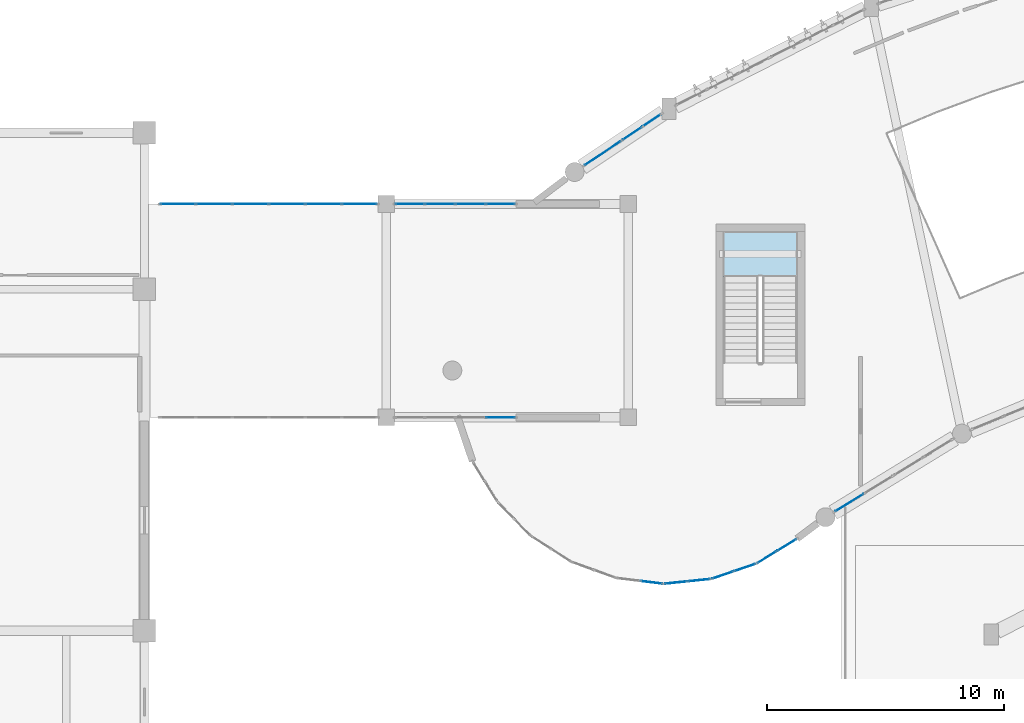
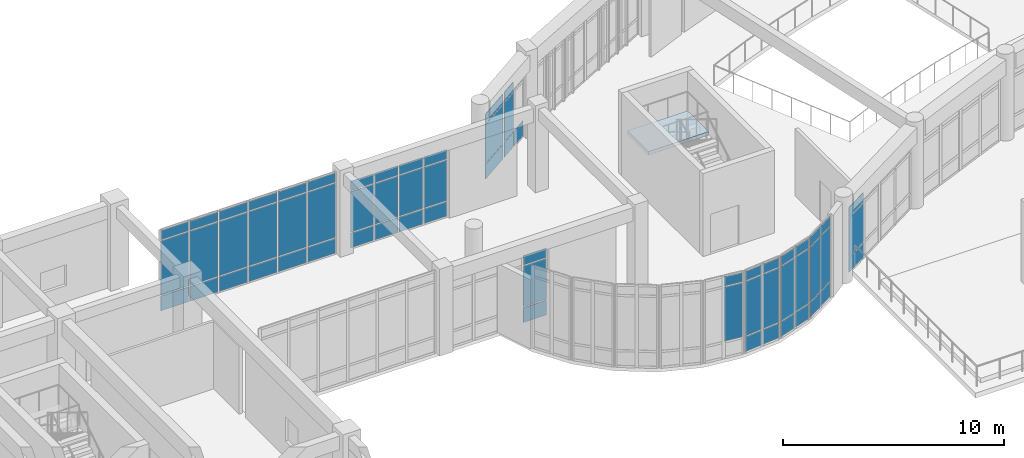
# One storey, part 38 of 65: 63 plates, 1 slab, 11 elements without a shape of their own.
"""IFC4 building model written with IfcOpenShell, lengths in metres."""

import ifcopenshell
import ifcopenshell.guid

model = None  # the IFC model being written
_history = None  # IfcOwnerHistory: only IFC2X3 demands one
_inside = {}  # id of a spatial element -> (the spatial element, [elements in it])
_under = {}  # id of a project, library or spatial element -> (it, [spatial elements below it])
_declared = {}  # id of a project -> (the project, [libraries it declares])
_typed = {}  # id of a type object -> (the type object, [elements of that type])
_made_of = {}  # id of a material, layer set ... -> (it, [elements and type objects made of it])


def new_model(schema):
    """Start an empty IFC model of exactly this schema.

    Asked for "IFC4X3", IfcOpenShell would pick the latest addendum, in which some entities
    have other attributes; the version numbers below select the first issue.
    IFC2X3 requires an IfcOwnerHistory on every rooted entity: one is made here for all.
    """
    global model, _history
    if schema == "IFC4X3":
        model = ifcopenshell.file(schema_version=(4, 3, 0, 0))
    else:
        model = ifcopenshell.file(schema=schema)
    _inside.clear()
    _under.clear()
    _declared.clear()
    _typed.clear()
    _made_of.clear()
    _history = None
    if model.schema == "IFC2X3":
        org = make("IfcOrganization", Name="unknown")
        user = make(
            "IfcPersonAndOrganization",
            ThePerson=make("IfcPerson", FamilyName="unknown"),
            TheOrganization=org,
        )
        app = make(
            "IfcApplication",
            ApplicationDeveloper=org,
            Version="unknown",
            ApplicationFullName="unknown",
            ApplicationIdentifier="unknown",
        )
        _history = make(
            "IfcOwnerHistory",
            OwningUser=user,
            OwningApplication=app,
            ChangeAction="ADDED",
            CreationDate=0,
        )
    return model


def make(cls, **values):
    """One entity of the class cls with the attributes given. An attribute that is None is left unset."""
    return model.create_entity(
        cls, **{name: value for name, value in values.items() if value is not None}
    )


def rooted(cls, **values):
    """An entity with a GlobalId (a new one), such as an element, a storey or a relation."""
    return make(cls, GlobalId=ifcopenshell.guid.new(), OwnerHistory=_history, **values)


def si_unit(unit_type, name, prefix=None):
    """IfcSIUnit, for example si_unit("LENGTHUNIT", "METRE", prefix="MILLI")."""
    return make("IfcSIUnit", UnitType=unit_type, Prefix=prefix, Name=name)


def assignment(units):
    """IfcUnitAssignment: the units of a project."""
    return None if units is None else make("IfcUnitAssignment", Units=units)


def point(xyz):
    """IfcCartesianPoint."""
    return None if xyz is None else make("IfcCartesianPoint", Coordinates=xyz)


def direction(xyz):
    """IfcDirection."""
    return None if xyz is None else make("IfcDirection", DirectionRatios=xyz)


def frame(location, z_axis=None, x_axis=None):
    """IfcAxis2Placement3D, a coordinate frame: its origin and axes. An axis left out is left unset."""
    return make(
        "IfcAxis2Placement3D",
        Location=point(location),
        Axis=direction(z_axis),
        RefDirection=direction(x_axis),
    )


def frame_2d(location, x_axis=None):
    """IfcAxis2Placement2D, a coordinate frame in the plane: its origin and x axis."""
    return make(
        "IfcAxis2Placement2D", Location=point(location), RefDirection=direction(x_axis)
    )


def origin():
    """The frame at (0, 0, 0) with its axes left unset."""
    return frame((0.0, 0.0, 0.0))


def origin_2d():
    """The frame at (0, 0) in the plane with its x axis left unset."""
    return frame_2d((0.0, 0.0))


def place(relative_to, where):
    """IfcLocalPlacement: puts the frame where relative to a parent placement (None: the world)."""
    return make(
        "IfcLocalPlacement", PlacementRelTo=relative_to, RelativePlacement=where
    )


def context(
    kind, dimensions, precision=None, world=None, true_north=None, identifier=None
):
    """IfcGeometricRepresentationContext, for example the 3D "Model" context."""
    return make(
        "IfcGeometricRepresentationContext",
        ContextIdentifier=identifier,
        ContextType=kind,
        CoordinateSpaceDimension=dimensions,
        Precision=precision,
        WorldCoordinateSystem=world,
        TrueNorth=true_north,
    )


def subcontext(parent, identifier, kind, view, scale=None):
    """IfcGeometricRepresentationSubContext, for example "Body" below "Model"."""
    return make(
        "IfcGeometricRepresentationSubContext",
        ContextIdentifier=identifier,
        ContextType=kind,
        ParentContext=parent,
        TargetScale=scale,
        TargetView=view,
    )


def project(units=None, contexts=None):
    """IfcProject with its units and contexts."""
    return rooted(
        "IfcProject",
        Name="project",
        RepresentationContexts=contexts,
        UnitsInContext=assignment(units),
    )


def spatial(cls, under=None, at=None, **own):
    """A site, building, storey or space (cls), placed at a placement, below another one or the project."""
    s = rooted(cls, ObjectPlacement=at, **own)
    if under is not None:
        _under.setdefault(under.id(), (under, []))[1].append(s)
    return s


def polyline(points):
    """IfcPolyline through the points."""
    return make("IfcPolyline", Points=[point(p) for p in points])


def profile(cls, at=None, kind="AREA", **sizes):
    """A parametric profile (cls). Its sizes go by their IFC names, for example OverallWidth=200.0."""
    return make(cls, ProfileType=kind, Position=at, **sizes)


def rectangle(**sizes):
    """IfcRectangleProfileDef."""
    return profile("IfcRectangleProfileDef", **sizes)


def outline(outer, holes=None, kind="AREA"):
    """IfcArbitraryClosedProfileDef: a profile drawn as a closed curve; with holes, ...WithVoids."""
    if holes is None:
        return make("IfcArbitraryClosedProfileDef", ProfileType=kind, OuterCurve=outer)
    return make(
        "IfcArbitraryProfileDefWithVoids",
        ProfileType=kind,
        OuterCurve=outer,
        InnerCurves=holes,
    )


def extrude(swept, where, along, depth):
    """IfcExtrudedAreaSolid: the profile swept, set in the frame where, extruded along a direction by depth."""
    return make(
        "IfcExtrudedAreaSolid",
        SweptArea=swept,
        Position=where,
        ExtrudedDirection=direction(along),
        Depth=depth,
    )


def shape(context_of_items, identifier, shape_type, items):
    """IfcShapeRepresentation: the items that make up one representation, for example the "Body"."""
    return make(
        "IfcShapeRepresentation",
        ContextOfItems=context_of_items,
        RepresentationIdentifier=identifier,
        RepresentationType=shape_type,
        Items=items,
    )


def material(Name=None, Category=None):
    """IfcMaterial."""
    return make("IfcMaterial", Name=Name, Category=Category)


def layer(
    of_material, thickness, ventilated=None, Name=None, Category=None, Priority=None
):
    """IfcMaterialLayer: one layer of a wall or slab, of a material (None: an air gap)."""
    return make(
        "IfcMaterialLayer",
        Material=of_material,
        LayerThickness=thickness,
        IsVentilated=ventilated,
        Name=Name,
        Category=Category,
        Priority=Priority,
    )


def layer_set(layers, Name=None):
    """IfcMaterialLayerSet."""
    return make("IfcMaterialLayerSet", MaterialLayers=layers, LayerSetName=Name)


def made_of(thing, what):
    """Note that an element or type object is made of a material, layer set ...; save() writes the relation."""
    if what is not None:
        _made_of.setdefault(what.id(), (what, []))[1].append(thing)
    return thing


def type_object(cls, material=None, **own):
    """A type object (cls), such as IfcWallType, which elements share."""
    return made_of(rooted(cls, **own), material)


def element(
    cls,
    number,
    at=None,
    inside=None,
    cuts=None,
    type_object=None,
    material=None,
    context=None,
    identifier="Body",
    shape_type=None,
    held_by="IfcProductDefinitionShape",
    body=None,
    shapes=None,
    **own,
):
    """One element of the class cls, such as IfcWall. Its Tag is "e" and its number.

    at: its placement. inside: the storey or other place that contains it. cuts: it is an
    opening in that element (IfcRelVoidsElement). A single representation is given by context,
    identifier, shape_type and body (its items); several are given by shapes. held_by: the class
    of the entity that holds the representations. save() writes the other relations.
    """
    e = rooted(cls, Tag="e%d" % number, ObjectPlacement=at, **own)
    if body is not None:
        shapes = [shape(context, identifier, shape_type, body)]
    if shapes is not None:
        e.Representation = make(held_by, Representations=shapes)
    if inside is not None:
        _inside.setdefault(inside.id(), (inside, []))[1].append(e)
    if cuts is not None:
        rooted(
            "IfcRelVoidsElement", RelatingBuildingElement=cuts, RelatedOpeningElement=e
        )
    if type_object is not None:
        _typed.setdefault(type_object.id(), (type_object, []))[1].append(e)
    return made_of(e, material)


def aggregate(whole, parts):
    """IfcRelAggregates: a whole, such as a stair, and the parts it consists of."""
    return rooted("IfcRelAggregates", RelatingObject=whole, RelatedObjects=parts)


def save(model, path):
    """Write the relations noted so far, then the file.

    IfcRelAggregates (storeys below a building ...), IfcRelContainedInSpatialStructure (elements
    in a storey), IfcRelDefinesByType, IfcRelAssociatesMaterial and IfcRelDeclares: one each for
    every whole, place, type object, material and project.
    """
    for whole, parts in _under.values():
        aggregate(whole, parts)
    for where, things in _inside.values():
        rooted(
            "IfcRelContainedInSpatialStructure",
            RelatedElements=things,
            RelatingStructure=where,
        )
    for kind, things in _typed.values():
        rooted("IfcRelDefinesByType", RelatedObjects=things, RelatingType=kind)
    for what, things in _made_of.values():
        rooted("IfcRelAssociatesMaterial", RelatedObjects=things, RelatingMaterial=what)
    for by, libraries in _declared.values():
        rooted("IfcRelDeclares", RelatingContext=by, RelatedDefinitions=libraries)
    model.write(path)


model = new_model("IFC4")

# Units and contexts
model_context = context("Model", 3, precision=1e-05, world=origin(), true_north=direction((0.0, 1.0)))
body_context = subcontext(model_context, "Body", "Model", "MODEL_VIEW")
ifc_project = project(units=[si_unit("LENGTHUNIT", "METRE"), si_unit("AREAUNIT", "SQUARE_METRE"), si_unit("VOLUMEUNIT", "CUBIC_METRE"), si_unit("PLANEANGLEUNIT", "RADIAN"), si_unit("MASSUNIT", "GRAM", prefix="KILO")], contexts=[model_context])

# Site, building, storey
site_placement = place(None, origin())
site = spatial("IfcSite", under=ifc_project, at=site_placement, CompositionType="ELEMENT")
building_placement = place(site_placement, origin())
building = spatial("IfcBuilding", under=site, at=building_placement, Name="Miralva Faculty of Natural Sciences", CompositionType="ELEMENT")
storey_placement = place(building_placement, frame((0.0, 0.0, 10.199951171875)))
storey = spatial("IfcBuildingStorey", under=building, at=storey_placement, Name="L02", CompositionType="ELEMENT", Elevation=10.199951171875)

# Curtain wall, plates
ifc_material_1 = material(Name="Laminated solar-control glass", Category="glass")
ifc_layer_1 = layer(ifc_material_1, 0.179931640625, Name="CW-ARC-L01")
ifc_layer_set_1 = layer_set([ifc_layer_1], Name="Laminated solar-control glass")
curtain_wall_type_1 = type_object("IfcCurtainWallType", Name="CW-ARC-L01", PredefinedType="USERDEFINED", material=ifc_layer_set_1)
curtain_wall_1_placement = place(storey_placement, origin())
curtain_wall_1 = element("IfcCurtainWall", 1, at=curtain_wall_1_placement, inside=storey, type_object=curtain_wall_type_1, Name="Curtain wall CW-02 L02-63", ObjectType="UNITISED CURTAIN WALL", PredefinedType="USERDEFINED")
ifc_layer_2 = layer(ifc_material_1, 0.028076171875, Name="PNL-P01")
ifc_layer_set_2 = layer_set([ifc_layer_2], Name="Laminated solar-control glass")
plate_type = type_object("IfcPlateType", Name="PNL-P01", PredefinedType="CURTAIN_PANEL", material=ifc_layer_set_2)
plate_1_placement = place(storey_placement, frame((65.72998046875, 14.403564453125, 0.06494140625), z_axis=(0.0, 0.0, 1.0), x_axis=(0.852640729642, 0.522497642249, 0.0)))
plate_1 = element("IfcPlate", 2, at=plate_1_placement, type_object=plate_type, Name="CW-02 panel 1.1", PredefinedType="CURTAIN_PANEL", context=body_context, shape_type="SweptSolid", body=[
    extrude(rectangle(XDim=1.376953125, YDim=0.028076171875, at=origin_2d()), origin(), (0.0, 0.0, 1.0), 0.802490234375),
])
plate_2_placement = place(storey_placement, frame((65.72998046875, 14.403564453125, 0.9326171875), z_axis=(0.0, 0.0, 1.0), x_axis=(0.852640729642, 0.522497642249, 0.0)))
plate_2 = element("IfcPlate", 3, at=plate_2_placement, type_object=plate_type, Name="CW-02 panel 1.2", PredefinedType="CURTAIN_PANEL", context=body_context, shape_type="SweptSolid", body=[
    extrude(rectangle(XDim=1.376953125, YDim=0.028076171875, at=origin_2d()), origin(), (0.0, 0.0, 1.0), 2.139892578125),
])
plate_3_placement = place(storey_placement, frame((65.72998046875, 14.403564453125, 3.1376953125), z_axis=(0.0, 0.0, 1.0), x_axis=(0.852640729642, 0.522497642249, 0.0)))
plate_3 = element("IfcPlate", 4, at=plate_3_placement, type_object=plate_type, Name="CW-02 panel 1.3", PredefinedType="CURTAIN_PANEL", context=body_context, shape_type="SweptSolid", body=[
    extrude(rectangle(XDim=1.376953125, YDim=0.028076171875, at=origin_2d()), origin(), (0.0, 0.0, 1.0), 0.50244140625),
])
aggregate(curtain_wall_1, [plate_1, plate_2, plate_3])

curtain_wall_2_placement = place(storey_placement, origin())
curtain_wall_2 = element("IfcCurtainWall", 5, at=curtain_wall_2_placement, inside=storey, type_object=curtain_wall_type_1, Name="Curtain wall CW-02 L02-77", ObjectType="UNITISED CURTAIN WALL", PredefinedType="USERDEFINED")
plate_4_placement = place(storey_placement, frame((55.333984375, 29.14453125, 0.06005859375), z_axis=(0.0, 0.0, 1.0), x_axis=(0.831483840844, 0.555548937913, 0.0)))
plate_4 = element("IfcPlate", 6, at=plate_4_placement, type_object=plate_type, Name="CW-02 panel 1.1", PredefinedType="CURTAIN_PANEL", context=body_context, shape_type="SweptSolid", body=[
    extrude(rectangle(XDim=1.7998046875, YDim=0.028076171875, at=origin_2d()), origin(), (0.0, 0.0, 1.0), 0.81005859375),
])
plate_5_placement = place(storey_placement, frame((55.333984375, 29.14453125, 0.929931640625), z_axis=(0.0, 0.0, 1.0), x_axis=(0.831483840844, 0.555548937913, 0.0)))
plate_5 = element("IfcPlate", 7, at=plate_5_placement, type_object=plate_type, Name="CW-02 panel 1.2", PredefinedType="CURTAIN_PANEL", context=body_context, shape_type="SweptSolid", body=[
    extrude(rectangle(XDim=1.7998046875, YDim=0.028076171875, at=origin_2d()), origin(), (0.0, 0.0, 1.0), 2.14501953125),
])
plate_6_placement = place(storey_placement, frame((55.333984375, 29.14453125, 3.13525390625), z_axis=(0.0, 0.0, 1.0), x_axis=(0.831483840844, 0.555548937913, 0.0)))
plate_6 = element("IfcPlate", 8, at=plate_6_placement, type_object=plate_type, Name="CW-02 panel 1.3", PredefinedType="CURTAIN_PANEL", context=body_context, shape_type="SweptSolid", body=[
    extrude(rectangle(XDim=1.7998046875, YDim=0.028076171875, at=origin_2d()), origin(), (0.0, 0.0, 1.0), 0.510009765625),
])
aggregate(curtain_wall_2, [plate_4, plate_5, plate_6])

curtain_wall_3_placement = place(storey_placement, origin())
curtain_wall_3 = element("IfcCurtainWall", 9, at=curtain_wall_3_placement, inside=storey, type_object=curtain_wall_type_1, Name="Curtain wall CW-02 L02-78", ObjectType="UNITISED CURTAIN WALL", PredefinedType="USERDEFINED")
plate_7_placement = place(storey_placement, frame((56.57275390625, 29.97216796875, 0.06005859375), z_axis=(0.0, 0.0, 1.0), x_axis=(0.831458377074, 0.55558704736, 0.0)))
plate_7 = element("IfcPlate", 10, at=plate_7_placement, type_object=plate_type, Name="CW-02 panel 1.1", PredefinedType="CURTAIN_PANEL", context=body_context, shape_type="SweptSolid", body=[
    extrude(rectangle(XDim=0.929931640625, YDim=0.028076171875, at=origin_2d()), origin(), (0.0, 0.0, 1.0), 0.81005859375),
])
plate_8_placement = place(storey_placement, frame((56.57275390625, 29.97216796875, 0.929931640625), z_axis=(0.0, 0.0, 1.0), x_axis=(0.831458377074, 0.55558704736, 0.0)))
plate_8 = element("IfcPlate", 11, at=plate_8_placement, type_object=plate_type, Name="CW-02 panel 1.2", PredefinedType="CURTAIN_PANEL", context=body_context, shape_type="SweptSolid", body=[
    extrude(rectangle(XDim=0.929931640625, YDim=0.028076171875, at=origin_2d()), origin(), (0.0, 0.0, 1.0), 2.14501953125),
])
plate_9_placement = place(storey_placement, frame((56.57275390625, 29.97216796875, 3.13525390625), z_axis=(0.0, 0.0, 1.0), x_axis=(0.831458377074, 0.55558704736, 0.0)))
plate_9 = element("IfcPlate", 12, at=plate_9_placement, type_object=plate_type, Name="CW-02 panel 1.3", PredefinedType="CURTAIN_PANEL", context=body_context, shape_type="SweptSolid", body=[
    extrude(rectangle(XDim=0.929931640625, YDim=0.028076171875, at=origin_2d()), origin(), (0.0, 0.0, 1.0), 0.510009765625),
])
plate_10_placement = place(storey_placement, frame((57.400146484375, 30.52490234375, 0.06005859375), z_axis=(0.0, 0.0, 1.0), x_axis=(0.831458377074, 0.55558704736, 0.0)))
plate_10 = element("IfcPlate", 13, at=plate_10_placement, type_object=plate_type, Name="CW-02 panel 2.1", PredefinedType="CURTAIN_PANEL", context=body_context, shape_type="SweptSolid", body=[
    extrude(rectangle(XDim=0.929931640625, YDim=0.028076171875, at=origin_2d()), origin(), (0.0, 0.0, 1.0), 0.81005859375),
])
aggregate(curtain_wall_3, [plate_7, plate_8, plate_9, plate_10])

ifc_layer_3 = layer(ifc_material_1, 0.179931640625, Name="CW-RND-L01")
ifc_layer_set_3 = layer_set([ifc_layer_3], Name="Laminated solar-control glass")
curtain_wall_type_2 = type_object("IfcCurtainWallType", Name="CW-RND-L01", PredefinedType="USERDEFINED", material=ifc_layer_set_3)
curtain_wall_4_placement = place(storey_placement, origin())
curtain_wall_4 = element("IfcCurtainWall", 14, at=curtain_wall_4_placement, inside=storey, type_object=curtain_wall_type_2, Name="Curtain wall CW-05 L02-93", ObjectType="UNITISED CURTAIN WALL", PredefinedType="USERDEFINED")
plate_11_placement = place(storey_placement, frame((62.253662109375, 12.102294921875, 0.06005859375), z_axis=(0.0, 0.0, 1.0), x_axis=(0.851994617353, 0.523550543884, 0.0)))
plate_11 = element("IfcPlate", 15, at=plate_11_placement, type_object=plate_type, Name="CW-05 panel 1.1", PredefinedType="CURTAIN_PANEL", context=body_context, shape_type="SweptSolid", body=[
    extrude(rectangle(XDim=0.91259765625, YDim=0.028076171875, at=origin_2d()), origin(), (0.0, 0.0, 1.0), 0.81005859375),
])
plate_12_placement = place(storey_placement, frame((62.253662109375, 12.102294921875, 0.93017578125), z_axis=(0.0, 0.0, 1.0), x_axis=(0.851994617353, 0.523550543884, 0.0)))
plate_12 = element("IfcPlate", 16, at=plate_12_placement, type_object=plate_type, Name="CW-05 panel 1.2", PredefinedType="CURTAIN_PANEL", context=body_context, shape_type="SweptSolid", body=[
    extrude(rectangle(XDim=0.91259765625, YDim=0.028076171875, at=origin_2d()), origin(), (0.0, 0.0, 1.0), 2.989990234375),
])
plate_13_placement = place(storey_placement, frame((62.253662109375, 12.102294921875, 3.97998046875), z_axis=(0.0, 0.0, 1.0), x_axis=(0.851994617353, 0.523550543884, 0.0)))
plate_13 = element("IfcPlate", 17, at=plate_13_placement, type_object=plate_type, Name="CW-05 panel 1.3", PredefinedType="CURTAIN_PANEL", context=body_context, shape_type="SweptSolid", body=[
    extrude(rectangle(XDim=0.91259765625, YDim=0.028076171875, at=origin_2d()), origin(), (0.0, 0.0, 1.0), 0.510009765625),
])
plate_14_placement = place(storey_placement, frame((63.086669921875, 12.6142578125, 0.06005859375), z_axis=(0.0, 0.0, 1.0), x_axis=(0.851994617353, 0.523550543884, 0.0)))
plate_14 = element("IfcPlate", 18, at=plate_14_placement, type_object=plate_type, Name="CW-05 panel 2.1", PredefinedType="CURTAIN_PANEL", context=body_context, shape_type="SweptSolid", body=[
    extrude(rectangle(XDim=0.91259765625, YDim=0.028076171875, at=origin_2d()), origin(), (0.0, 0.0, 1.0), 0.81005859375),
])
plate_15_placement = place(storey_placement, frame((63.086669921875, 12.6142578125, 0.93017578125), z_axis=(0.0, 0.0, 1.0), x_axis=(0.851994617353, 0.523550543884, 0.0)))
plate_15 = element("IfcPlate", 19, at=plate_15_placement, type_object=plate_type, Name="CW-05 panel 2.2", PredefinedType="CURTAIN_PANEL", context=body_context, shape_type="SweptSolid", body=[
    extrude(rectangle(XDim=0.91259765625, YDim=0.028076171875, at=origin_2d()), origin(), (0.0, 0.0, 1.0), 2.989990234375),
])
plate_16_placement = place(storey_placement, frame((63.086669921875, 12.6142578125, 3.97998046875), z_axis=(0.0, 0.0, 1.0), x_axis=(0.851994617353, 0.523550543884, 0.0)))
plate_16 = element("IfcPlate", 20, at=plate_16_placement, type_object=plate_type, Name="CW-05 panel 2.3", PredefinedType="CURTAIN_PANEL", context=body_context, shape_type="SweptSolid", body=[
    extrude(rectangle(XDim=0.91259765625, YDim=0.028076171875, at=origin_2d()), origin(), (0.0, 0.0, 1.0), 0.510009765625),
])
aggregate(curtain_wall_4, [plate_11, plate_12, plate_13, plate_14, plate_15, plate_16])

curtain_wall_5_placement = place(storey_placement, origin())
curtain_wall_5 = element("IfcCurtainWall", 21, at=curtain_wall_5_placement, inside=storey, type_object=curtain_wall_type_2, Name="Curtain wall CW-05 L02-94", ObjectType="UNITISED CURTAIN WALL", PredefinedType="USERDEFINED")
plate_17_placement = place(storey_placement, frame((60.39453125, 11.349853515625, 0.06005859375), z_axis=(0.0, 0.0, 1.0), x_axis=(0.947132688672, 0.320842126361, 0.0)))
plate_17 = element("IfcPlate", 22, at=plate_17_placement, type_object=plate_type, Name="CW-05 panel 1.1", PredefinedType="CURTAIN_PANEL", context=body_context, shape_type="SweptSolid", body=[
    extrude(rectangle(XDim=0.91259765625, YDim=0.028076171875, at=origin_2d()), origin(), (0.0, 0.0, 1.0), 0.81005859375),
])
plate_18_placement = place(storey_placement, frame((60.39453125, 11.349853515625, 0.93017578125), z_axis=(0.0, 0.0, 1.0), x_axis=(0.947132688672, 0.320842126361, 0.0)))
plate_18 = element("IfcPlate", 23, at=plate_18_placement, type_object=plate_type, Name="CW-05 panel 1.2", PredefinedType="CURTAIN_PANEL", context=body_context, shape_type="SweptSolid", body=[
    extrude(rectangle(XDim=0.91259765625, YDim=0.028076171875, at=origin_2d()), origin(), (0.0, 0.0, 1.0), 2.989990234375),
])
plate_19_placement = place(storey_placement, frame((60.39453125, 11.349853515625, 3.97998046875), z_axis=(0.0, 0.0, 1.0), x_axis=(0.947132688672, 0.320842126361, 0.0)))
plate_19 = element("IfcPlate", 24, at=plate_19_placement, type_object=plate_type, Name="CW-05 panel 1.3", PredefinedType="CURTAIN_PANEL", context=body_context, shape_type="SweptSolid", body=[
    extrude(rectangle(XDim=0.91259765625, YDim=0.028076171875, at=origin_2d()), origin(), (0.0, 0.0, 1.0), 0.510009765625),
])
plate_20_placement = place(storey_placement, frame((61.3203125, 11.66357421875, 0.06005859375), z_axis=(0.0, 0.0, 1.0), x_axis=(0.947132688672, 0.320842126361, 0.0)))
plate_20 = element("IfcPlate", 25, at=plate_20_placement, type_object=plate_type, Name="CW-05 panel 2.1", PredefinedType="CURTAIN_PANEL", context=body_context, shape_type="SweptSolid", body=[
    extrude(rectangle(XDim=0.91259765625, YDim=0.028076171875, at=origin_2d()), origin(), (0.0, 0.0, 1.0), 0.81005859375),
])
plate_21_placement = place(storey_placement, frame((61.3203125, 11.66357421875, 0.93017578125), z_axis=(0.0, 0.0, 1.0), x_axis=(0.947132688672, 0.320842126361, 0.0)))
plate_21 = element("IfcPlate", 26, at=plate_21_placement, type_object=plate_type, Name="CW-05 panel 2.2", PredefinedType="CURTAIN_PANEL", context=body_context, shape_type="SweptSolid", body=[
    extrude(rectangle(XDim=0.91259765625, YDim=0.028076171875, at=origin_2d()), origin(), (0.0, 0.0, 1.0), 2.989990234375),
])
plate_22_placement = place(storey_placement, frame((61.3203125, 11.66357421875, 3.97998046875), z_axis=(0.0, 0.0, 1.0), x_axis=(0.947132688672, 0.320842126361, 0.0)))
plate_22 = element("IfcPlate", 27, at=plate_22_placement, type_object=plate_type, Name="CW-05 panel 2.3", PredefinedType="CURTAIN_PANEL", context=body_context, shape_type="SweptSolid", body=[
    extrude(rectangle(XDim=0.91259765625, YDim=0.028076171875, at=origin_2d()), origin(), (0.0, 0.0, 1.0), 0.510009765625),
])
aggregate(curtain_wall_5, [plate_17, plate_18, plate_19, plate_20, plate_21, plate_22])

curtain_wall_6_placement = place(storey_placement, origin())
curtain_wall_6 = element("IfcCurtainWall", 28, at=curtain_wall_6_placement, inside=storey, type_object=curtain_wall_type_2, Name="Curtain wall CW-05 L02-95", ObjectType="UNITISED CURTAIN WALL", PredefinedType="USERDEFINED")
plate_23_placement = place(storey_placement, frame((58.41455078125, 11.0302734375, 0.06005859375), z_axis=(0.0, 0.0, 1.0), x_axis=(0.994778604482, 0.102056494477, 0.0)))
plate_23 = element("IfcPlate", 29, at=plate_23_placement, type_object=plate_type, Name="CW-05 panel 1.1", PredefinedType="CURTAIN_PANEL", context=body_context, shape_type="SweptSolid", body=[
    extrude(rectangle(XDim=0.912841796875, YDim=0.028076171875, at=origin_2d()), origin(), (0.0, 0.0, 1.0), 0.81005859375),
])
plate_24_placement = place(storey_placement, frame((58.41455078125, 11.0302734375, 0.93017578125), z_axis=(0.0, 0.0, 1.0), x_axis=(0.994778604482, 0.102056494477, 0.0)))
plate_24 = element("IfcPlate", 30, at=plate_24_placement, type_object=plate_type, Name="CW-05 panel 1.2", PredefinedType="CURTAIN_PANEL", context=body_context, shape_type="SweptSolid", body=[
    extrude(rectangle(XDim=0.912841796875, YDim=0.028076171875, at=origin_2d()), origin(), (0.0, 0.0, 1.0), 2.989990234375),
])
plate_25_placement = place(storey_placement, frame((58.41455078125, 11.0302734375, 3.97998046875), z_axis=(0.0, 0.0, 1.0), x_axis=(0.994778604482, 0.102056494477, 0.0)))
plate_25 = element("IfcPlate", 31, at=plate_25_placement, type_object=plate_type, Name="CW-05 panel 1.3", PredefinedType="CURTAIN_PANEL", context=body_context, shape_type="SweptSolid", body=[
    extrude(rectangle(XDim=0.912841796875, YDim=0.028076171875, at=origin_2d()), origin(), (0.0, 0.0, 1.0), 0.510009765625),
])
plate_26_placement = place(storey_placement, frame((59.386962890625, 11.1298828125, 0.06005859375), z_axis=(0.0, 0.0, 1.0), x_axis=(0.994778604482, 0.102056494477, 0.0)))
plate_26 = element("IfcPlate", 32, at=plate_26_placement, type_object=plate_type, Name="CW-05 panel 2.1", PredefinedType="CURTAIN_PANEL", context=body_context, shape_type="SweptSolid", body=[
    extrude(rectangle(XDim=0.912841796875, YDim=0.028076171875, at=origin_2d()), origin(), (0.0, 0.0, 1.0), 0.81005859375),
])
plate_27_placement = place(storey_placement, frame((59.386962890625, 11.1298828125, 0.93017578125), z_axis=(0.0, 0.0, 1.0), x_axis=(0.994778604482, 0.102056494477, 0.0)))
plate_27 = element("IfcPlate", 33, at=plate_27_placement, type_object=plate_type, Name="CW-05 panel 2.2", PredefinedType="CURTAIN_PANEL", context=body_context, shape_type="SweptSolid", body=[
    extrude(rectangle(XDim=0.912841796875, YDim=0.028076171875, at=origin_2d()), origin(), (0.0, 0.0, 1.0), 2.989990234375),
])
plate_28_placement = place(storey_placement, frame((59.386962890625, 11.1298828125, 3.97998046875), z_axis=(0.0, 0.0, 1.0), x_axis=(0.994778604482, 0.102056494477, 0.0)))
plate_28 = element("IfcPlate", 34, at=plate_28_placement, type_object=plate_type, Name="CW-05 panel 2.3", PredefinedType="CURTAIN_PANEL", context=body_context, shape_type="SweptSolid", body=[
    extrude(rectangle(XDim=0.912841796875, YDim=0.028076171875, at=origin_2d()), origin(), (0.0, 0.0, 1.0), 0.510009765625),
])
aggregate(curtain_wall_6, [plate_23, plate_24, plate_25, plate_26, plate_27, plate_28])

curtain_wall_7_placement = place(storey_placement, origin())
curtain_wall_7 = element("IfcCurtainWall", 35, at=curtain_wall_7_placement, inside=storey, type_object=curtain_wall_type_2, Name="Curtain wall CW-05 L02-96", ObjectType="UNITISED CURTAIN WALL", PredefinedType="USERDEFINED")
plate_29_placement = place(storey_placement, frame((57.38330078125, 11.0400390625, 0.93017578125), z_axis=(0.0, 0.0, 1.0), x_axis=(0.99254734183, -0.121859649701, 0.0)))
plate_29 = element("IfcPlate", 36, at=plate_29_placement, type_object=plate_type, Name="CW-05 panel 2.2", PredefinedType="CURTAIN_PANEL", context=body_context, shape_type="SweptSolid", body=[
    extrude(rectangle(XDim=0.91259765625, YDim=0.028076171875, at=origin_2d()), origin(), (0.0, 0.0, 1.0), 2.989990234375),
])
plate_30_placement = place(storey_placement, frame((57.38330078125, 11.0400390625, 3.97998046875), z_axis=(0.0, 0.0, 1.0), x_axis=(0.99254734183, -0.121859649701, 0.0)))
plate_30 = element("IfcPlate", 37, at=plate_30_placement, type_object=plate_type, Name="CW-05 panel 2.3", PredefinedType="CURTAIN_PANEL", context=body_context, shape_type="SweptSolid", body=[
    extrude(rectangle(XDim=0.91259765625, YDim=0.028076171875, at=origin_2d()), origin(), (0.0, 0.0, 1.0), 0.510009765625),
])
aggregate(curtain_wall_7, [plate_29, plate_30])

ifc_layer_4 = layer(ifc_material_1, 0.179931640625, Name="CW-COM-L01")
ifc_layer_set_4 = layer_set([ifc_layer_4], Name="Laminated solar-control glass")
curtain_wall_type_3 = type_object("IfcCurtainWallType", Name="CW-COM-L01", PredefinedType="USERDEFINED", material=ifc_layer_set_4)
curtain_wall_8_placement = place(storey_placement, origin())
curtain_wall_8 = element("IfcCurtainWall", 38, at=curtain_wall_8_placement, inside=storey, type_object=curtain_wall_type_3, Name="Curtain wall CW-10 L02-295", ObjectType="UNITISED CURTAIN WALL", PredefinedType="USERDEFINED")
plate_31_placement = place(storey_placement, frame((51.02197265625, 18.0, 0.06005859375), z_axis=(0.0, 0.0, 1.0), x_axis=(1.0, 0.0, 0.0)))
plate_31 = element("IfcPlate", 39, at=plate_31_placement, type_object=plate_type, Name="CW-10 panel 4.1", PredefinedType="CURTAIN_PANEL", context=body_context, shape_type="SweptSolid", body=[
    extrude(rectangle(XDim=1.1962890625, YDim=0.028076171875, at=origin_2d()), origin(), (0.0, 0.0, 1.0), 0.81005859375),
])
plate_32_placement = place(storey_placement, frame((51.02197265625, 18.0, 0.929931640625), z_axis=(0.0, 0.0, 1.0), x_axis=(1.0, 0.0, 0.0)))
plate_32 = element("IfcPlate", 40, at=plate_32_placement, type_object=plate_type, Name="CW-10 panel 4.2", PredefinedType="CURTAIN_PANEL", context=body_context, shape_type="SweptSolid", body=[
    extrude(rectangle(XDim=1.1962890625, YDim=0.028076171875, at=origin_2d()), origin(), (0.0, 0.0, 1.0), 2.2451171875),
])
plate_33_placement = place(storey_placement, frame((51.02197265625, 18.0, 3.23486328125), z_axis=(0.0, 0.0, 1.0), x_axis=(1.0, 0.0, 0.0)))
plate_33 = element("IfcPlate", 41, at=plate_33_placement, type_object=plate_type, Name="CW-10 panel 4.3", PredefinedType="CURTAIN_PANEL", context=body_context, shape_type="SweptSolid", body=[
    extrude(rectangle(XDim=1.1962890625, YDim=0.028076171875, at=origin_2d()), origin(), (0.0, 0.0, 1.0), 0.510009765625),
])
aggregate(curtain_wall_8, [plate_31, plate_32, plate_33])

curtain_wall_9_placement = place(storey_placement, origin())
curtain_wall_9 = element("IfcCurtainWall", 42, at=curtain_wall_9_placement, inside=storey, type_object=curtain_wall_type_3, Name="Curtain wall CW-10 L02-297", ObjectType="UNITISED CURTAIN WALL", PredefinedType="USERDEFINED")
plate_34_placement = place(storey_placement, frame((37.405517578125, 27.0, 0.06005859375), z_axis=(0.0, 0.0, 1.0), x_axis=(1.0, 0.0, 0.0)))
plate_34 = element("IfcPlate", 43, at=plate_34_placement, type_object=plate_type, Name="CW-10 panel 1.1", PredefinedType="CURTAIN_PANEL", context=body_context, shape_type="SweptSolid", body=[
    extrude(rectangle(XDim=1.450927734375, YDim=0.028076171875, at=origin_2d()), origin(), (0.0, 0.0, 1.0), 0.81005859375),
])
plate_35_placement = place(storey_placement, frame((37.405517578125, 27.0, 0.93017578125), z_axis=(0.0, 0.0, 1.0), x_axis=(1.0, 0.0, 0.0)))
plate_35 = element("IfcPlate", 44, at=plate_35_placement, type_object=plate_type, Name="CW-10 panel 1.2", PredefinedType="CURTAIN_PANEL", context=body_context, shape_type="SweptSolid", body=[
    extrude(rectangle(XDim=1.450927734375, YDim=0.028076171875, at=origin_2d()), origin(), (0.0, 0.0, 1.0), 2.989990234375),
])
plate_36_placement = place(storey_placement, frame((37.405517578125, 27.0, 3.97998046875), z_axis=(0.0, 0.0, 1.0), x_axis=(1.0, 0.0, 0.0)))
plate_36 = element("IfcPlate", 45, at=plate_36_placement, type_object=plate_type, Name="CW-10 panel 1.3", PredefinedType="CURTAIN_PANEL", context=body_context, shape_type="SweptSolid", body=[
    extrude(rectangle(XDim=1.450927734375, YDim=0.028076171875, at=origin_2d()), origin(), (0.0, 0.0, 1.0), 0.510009765625),
])
plate_37_placement = place(storey_placement, frame((38.93115234375, 27.0, 0.06005859375), z_axis=(0.0, 0.0, 1.0), x_axis=(1.0, 0.0, 0.0)))
plate_37 = element("IfcPlate", 46, at=plate_37_placement, type_object=plate_type, Name="CW-10 panel 2.1", PredefinedType="CURTAIN_PANEL", context=body_context, shape_type="SweptSolid", body=[
    extrude(rectangle(XDim=1.480712890625, YDim=0.028076171875, at=origin_2d()), origin(), (0.0, 0.0, 1.0), 0.81005859375),
])
plate_38_placement = place(storey_placement, frame((38.93115234375, 27.0, 0.93017578125), z_axis=(0.0, 0.0, 1.0), x_axis=(1.0, 0.0, 0.0)))
plate_38 = element("IfcPlate", 47, at=plate_38_placement, type_object=plate_type, Name="CW-10 panel 2.2", PredefinedType="CURTAIN_PANEL", context=body_context, shape_type="SweptSolid", body=[
    extrude(rectangle(XDim=1.480712890625, YDim=0.028076171875, at=origin_2d()), origin(), (0.0, 0.0, 1.0), 2.989990234375),
])
plate_39_placement = place(storey_placement, frame((38.93115234375, 27.0, 3.97998046875), z_axis=(0.0, 0.0, 1.0), x_axis=(1.0, 0.0, 0.0)))
plate_39 = element("IfcPlate", 48, at=plate_39_placement, type_object=plate_type, Name="CW-10 panel 2.3", PredefinedType="CURTAIN_PANEL", context=body_context, shape_type="SweptSolid", body=[
    extrude(rectangle(XDim=1.480712890625, YDim=0.028076171875, at=origin_2d()), origin(), (0.0, 0.0, 1.0), 0.510009765625),
])
plate_40_placement = place(storey_placement, frame((40.47216796875, 27.0, 0.06005859375), z_axis=(0.0, 0.0, 1.0), x_axis=(1.0, 0.0, 0.0)))
plate_40 = element("IfcPlate", 49, at=plate_40_placement, type_object=plate_type, Name="CW-10 panel 3.1", PredefinedType="CURTAIN_PANEL", context=body_context, shape_type="SweptSolid", body=[
    extrude(rectangle(XDim=1.480712890625, YDim=0.028076171875, at=origin_2d()), origin(), (0.0, 0.0, 1.0), 0.81005859375),
])
plate_41_placement = place(storey_placement, frame((40.47216796875, 27.0, 0.93017578125), z_axis=(0.0, 0.0, 1.0), x_axis=(1.0, 0.0, 0.0)))
plate_41 = element("IfcPlate", 50, at=plate_41_placement, type_object=plate_type, Name="CW-10 panel 3.2", PredefinedType="CURTAIN_PANEL", context=body_context, shape_type="SweptSolid", body=[
    extrude(rectangle(XDim=1.480712890625, YDim=0.028076171875, at=origin_2d()), origin(), (0.0, 0.0, 1.0), 2.989990234375),
])
plate_42_placement = place(storey_placement, frame((40.47216796875, 27.0, 3.97998046875), z_axis=(0.0, 0.0, 1.0), x_axis=(1.0, 0.0, 0.0)))
plate_42 = element("IfcPlate", 51, at=plate_42_placement, type_object=plate_type, Name="CW-10 panel 3.3", PredefinedType="CURTAIN_PANEL", context=body_context, shape_type="SweptSolid", body=[
    extrude(rectangle(XDim=1.480712890625, YDim=0.028076171875, at=origin_2d()), origin(), (0.0, 0.0, 1.0), 0.510009765625),
])
plate_43_placement = place(storey_placement, frame((42.012939453125, 27.0, 0.06005859375), z_axis=(0.0, 0.0, 1.0), x_axis=(1.0, 0.0, 0.0)))
plate_43 = element("IfcPlate", 52, at=plate_43_placement, type_object=plate_type, Name="CW-10 panel 4.1", PredefinedType="CURTAIN_PANEL", context=body_context, shape_type="SweptSolid", body=[
    extrude(rectangle(XDim=1.480712890625, YDim=0.028076171875, at=origin_2d()), origin(), (0.0, 0.0, 1.0), 0.81005859375),
])
plate_44_placement = place(storey_placement, frame((42.012939453125, 27.0, 0.93017578125), z_axis=(0.0, 0.0, 1.0), x_axis=(1.0, 0.0, 0.0)))
plate_44 = element("IfcPlate", 53, at=plate_44_placement, type_object=plate_type, Name="CW-10 panel 4.2", PredefinedType="CURTAIN_PANEL", context=body_context, shape_type="SweptSolid", body=[
    extrude(rectangle(XDim=1.480712890625, YDim=0.028076171875, at=origin_2d()), origin(), (0.0, 0.0, 1.0), 2.989990234375),
])
plate_45_placement = place(storey_placement, frame((42.012939453125, 27.0, 3.97998046875), z_axis=(0.0, 0.0, 1.0), x_axis=(1.0, 0.0, 0.0)))
plate_45 = element("IfcPlate", 54, at=plate_45_placement, type_object=plate_type, Name="CW-10 panel 4.3", PredefinedType="CURTAIN_PANEL", context=body_context, shape_type="SweptSolid", body=[
    extrude(rectangle(XDim=1.480712890625, YDim=0.028076171875, at=origin_2d()), origin(), (0.0, 0.0, 1.0), 0.510009765625),
])
plate_46_placement = place(storey_placement, frame((43.5537109375, 27.0, 0.06005859375), z_axis=(0.0, 0.0, 1.0), x_axis=(1.0, 0.0, 0.0)))
plate_46 = element("IfcPlate", 55, at=plate_46_placement, type_object=plate_type, Name="CW-10 panel 5.1", PredefinedType="CURTAIN_PANEL", context=body_context, shape_type="SweptSolid", body=[
    extrude(rectangle(XDim=1.480712890625, YDim=0.028076171875, at=origin_2d()), origin(), (0.0, 0.0, 1.0), 0.81005859375),
])
plate_47_placement = place(storey_placement, frame((43.5537109375, 27.0, 0.93017578125), z_axis=(0.0, 0.0, 1.0), x_axis=(1.0, 0.0, 0.0)))
plate_47 = element("IfcPlate", 56, at=plate_47_placement, type_object=plate_type, Name="CW-10 panel 5.2", PredefinedType="CURTAIN_PANEL", context=body_context, shape_type="SweptSolid", body=[
    extrude(rectangle(XDim=1.480712890625, YDim=0.028076171875, at=origin_2d()), origin(), (0.0, 0.0, 1.0), 2.989990234375),
])
plate_48_placement = place(storey_placement, frame((43.5537109375, 27.0, 3.97998046875), z_axis=(0.0, 0.0, 1.0), x_axis=(1.0, 0.0, 0.0)))
plate_48 = element("IfcPlate", 57, at=plate_48_placement, type_object=plate_type, Name="CW-10 panel 5.3", PredefinedType="CURTAIN_PANEL", context=body_context, shape_type="SweptSolid", body=[
    extrude(rectangle(XDim=1.480712890625, YDim=0.028076171875, at=origin_2d()), origin(), (0.0, 0.0, 1.0), 0.510009765625),
])
plate_49_placement = place(storey_placement, frame((45.07958984375, 27.0, 0.06005859375), z_axis=(0.0, 0.0, 1.0), x_axis=(1.0, 0.0, 0.0)))
plate_49 = element("IfcPlate", 58, at=plate_49_placement, type_object=plate_type, Name="CW-10 panel 6.1", PredefinedType="CURTAIN_PANEL", context=body_context, shape_type="SweptSolid", body=[
    extrude(rectangle(XDim=1.450927734375, YDim=0.028076171875, at=origin_2d()), origin(), (0.0, 0.0, 1.0), 0.81005859375),
])
plate_50_placement = place(storey_placement, frame((45.07958984375, 27.0, 0.93017578125), z_axis=(0.0, 0.0, 1.0), x_axis=(1.0, 0.0, 0.0)))
plate_50 = element("IfcPlate", 59, at=plate_50_placement, type_object=plate_type, Name="CW-10 panel 6.2", PredefinedType="CURTAIN_PANEL", context=body_context, shape_type="SweptSolid", body=[
    extrude(rectangle(XDim=1.450927734375, YDim=0.028076171875, at=origin_2d()), origin(), (0.0, 0.0, 1.0), 2.989990234375),
])
plate_51_placement = place(storey_placement, frame((45.07958984375, 27.0, 3.97998046875), z_axis=(0.0, 0.0, 1.0), x_axis=(1.0, 0.0, 0.0)))
plate_51 = element("IfcPlate", 60, at=plate_51_placement, type_object=plate_type, Name="CW-10 panel 6.3", PredefinedType="CURTAIN_PANEL", context=body_context, shape_type="SweptSolid", body=[
    extrude(rectangle(XDim=1.450927734375, YDim=0.028076171875, at=origin_2d()), origin(), (0.0, 0.0, 1.0), 0.510009765625),
])
aggregate(curtain_wall_9, [plate_34, plate_35, plate_36, plate_37, plate_38, plate_39, plate_40, plate_41, plate_42, plate_43, plate_44, plate_45, plate_46, plate_47, plate_48, plate_49, plate_50, plate_51])

curtain_wall_10_placement = place(storey_placement, origin())
curtain_wall_10 = element("IfcCurtainWall", 61, at=curtain_wall_10_placement, inside=storey, type_object=curtain_wall_type_3, Name="Curtain wall CW-10 L02-298", ObjectType="UNITISED CURTAIN WALL", PredefinedType="USERDEFINED")
plate_52_placement = place(storey_placement, frame((47.193115234375, 27.0, 0.06005859375), z_axis=(0.0, 0.0, 1.0), x_axis=(1.0, 0.0, 0.0)))
plate_52 = element("IfcPlate", 62, at=plate_52_placement, type_object=plate_type, Name="CW-10 panel 1.1", PredefinedType="CURTAIN_PANEL", context=body_context, shape_type="SweptSolid", body=[
    extrude(rectangle(XDim=1.1962890625, YDim=0.028076171875, at=origin_2d()), origin(), (0.0, 0.0, 1.0), 0.81005859375),
])
plate_53_placement = place(storey_placement, frame((47.193115234375, 27.0, 0.93017578125), z_axis=(0.0, 0.0, 1.0), x_axis=(1.0, 0.0, 0.0)))
plate_53 = element("IfcPlate", 63, at=plate_53_placement, type_object=plate_type, Name="CW-10 panel 1.2", PredefinedType="CURTAIN_PANEL", context=body_context, shape_type="SweptSolid", body=[
    extrude(rectangle(XDim=1.1962890625, YDim=0.028076171875, at=origin_2d()), origin(), (0.0, 0.0, 1.0), 2.235107421875),
])
plate_54_placement = place(storey_placement, frame((47.193115234375, 27.0, 3.22509765625), z_axis=(0.0, 0.0, 1.0), x_axis=(1.0, 0.0, 0.0)))
plate_54 = element("IfcPlate", 64, at=plate_54_placement, type_object=plate_type, Name="CW-10 panel 1.3", PredefinedType="CURTAIN_PANEL", context=body_context, shape_type="SweptSolid", body=[
    extrude(rectangle(XDim=1.1962890625, YDim=0.028076171875, at=origin_2d()), origin(), (0.0, 0.0, 1.0), 0.510009765625),
])
plate_55_placement = place(storey_placement, frame((48.46435546875, 27.0, 0.06005859375), z_axis=(0.0, 0.0, 1.0), x_axis=(1.0, 0.0, 0.0)))
plate_55 = element("IfcPlate", 65, at=plate_55_placement, type_object=plate_type, Name="CW-10 panel 2.1", PredefinedType="CURTAIN_PANEL", context=body_context, shape_type="SweptSolid", body=[
    extrude(rectangle(XDim=1.226318359375, YDim=0.028076171875, at=origin_2d()), origin(), (0.0, 0.0, 1.0), 0.81005859375),
])
plate_56_placement = place(storey_placement, frame((48.46435546875, 27.0, 0.93017578125), z_axis=(0.0, 0.0, 1.0), x_axis=(1.0, 0.0, 0.0)))
plate_56 = element("IfcPlate", 66, at=plate_56_placement, type_object=plate_type, Name="CW-10 panel 2.2", PredefinedType="CURTAIN_PANEL", context=body_context, shape_type="SweptSolid", body=[
    extrude(rectangle(XDim=1.226318359375, YDim=0.028076171875, at=origin_2d()), origin(), (0.0, 0.0, 1.0), 2.235107421875),
])
plate_57_placement = place(storey_placement, frame((48.46435546875, 27.0, 3.22509765625), z_axis=(0.0, 0.0, 1.0), x_axis=(1.0, 0.0, 0.0)))
plate_57 = element("IfcPlate", 67, at=plate_57_placement, type_object=plate_type, Name="CW-10 panel 2.3", PredefinedType="CURTAIN_PANEL", context=body_context, shape_type="SweptSolid", body=[
    extrude(rectangle(XDim=1.226318359375, YDim=0.028076171875, at=origin_2d()), origin(), (0.0, 0.0, 1.0), 0.510009765625),
])
plate_58_placement = place(storey_placement, frame((49.750732421875, 27.0, 0.06005859375), z_axis=(0.0, 0.0, 1.0), x_axis=(1.0, 0.0, 0.0)))
plate_58 = element("IfcPlate", 68, at=plate_58_placement, type_object=plate_type, Name="CW-10 panel 3.1", PredefinedType="CURTAIN_PANEL", context=body_context, shape_type="SweptSolid", body=[
    extrude(rectangle(XDim=1.226318359375, YDim=0.028076171875, at=origin_2d()), origin(), (0.0, 0.0, 1.0), 0.81005859375),
])
plate_59_placement = place(storey_placement, frame((49.750732421875, 27.0, 0.93017578125), z_axis=(0.0, 0.0, 1.0), x_axis=(1.0, 0.0, 0.0)))
plate_59 = element("IfcPlate", 69, at=plate_59_placement, type_object=plate_type, Name="CW-10 panel 3.2", PredefinedType="CURTAIN_PANEL", context=body_context, shape_type="SweptSolid", body=[
    extrude(rectangle(XDim=1.226318359375, YDim=0.028076171875, at=origin_2d()), origin(), (0.0, 0.0, 1.0), 2.235107421875),
])
plate_60_placement = place(storey_placement, frame((49.750732421875, 27.0, 3.22509765625), z_axis=(0.0, 0.0, 1.0), x_axis=(1.0, 0.0, 0.0)))
plate_60 = element("IfcPlate", 70, at=plate_60_placement, type_object=plate_type, Name="CW-10 panel 3.3", PredefinedType="CURTAIN_PANEL", context=body_context, shape_type="SweptSolid", body=[
    extrude(rectangle(XDim=1.226318359375, YDim=0.028076171875, at=origin_2d()), origin(), (0.0, 0.0, 1.0), 0.510009765625),
])
plate_61_placement = place(storey_placement, frame((51.02197265625, 27.0, 0.06005859375), z_axis=(0.0, 0.0, 1.0), x_axis=(1.0, 0.0, 0.0)))
plate_61 = element("IfcPlate", 71, at=plate_61_placement, type_object=plate_type, Name="CW-10 panel 4.1", PredefinedType="CURTAIN_PANEL", context=body_context, shape_type="SweptSolid", body=[
    extrude(rectangle(XDim=1.1962890625, YDim=0.028076171875, at=origin_2d()), origin(), (0.0, 0.0, 1.0), 0.81005859375),
])
plate_62_placement = place(storey_placement, frame((51.02197265625, 27.0, 0.93017578125), z_axis=(0.0, 0.0, 1.0), x_axis=(1.0, 0.0, 0.0)))
plate_62 = element("IfcPlate", 72, at=plate_62_placement, type_object=plate_type, Name="CW-10 panel 4.2", PredefinedType="CURTAIN_PANEL", context=body_context, shape_type="SweptSolid", body=[
    extrude(rectangle(XDim=1.1962890625, YDim=0.028076171875, at=origin_2d()), origin(), (0.0, 0.0, 1.0), 2.235107421875),
])
plate_63_placement = place(storey_placement, frame((51.02197265625, 27.0, 3.22509765625), z_axis=(0.0, 0.0, 1.0), x_axis=(1.0, 0.0, 0.0)))
plate_63 = element("IfcPlate", 73, at=plate_63_placement, type_object=plate_type, Name="CW-10 panel 4.3", PredefinedType="CURTAIN_PANEL", context=body_context, shape_type="SweptSolid", body=[
    extrude(rectangle(XDim=1.1962890625, YDim=0.028076171875, at=origin_2d()), origin(), (0.0, 0.0, 1.0), 0.510009765625),
])
aggregate(curtain_wall_10, [plate_52, plate_53, plate_54, plate_55, plate_56, plate_57, plate_58, plate_59, plate_60, plate_61, plate_62, plate_63])

# Stair, slab
ifc_material_2 = material(Name="Concrete C40/50", Category="concrete")
stair_type = type_object("IfcStairType", Name="ST-CORE-480", PredefinedType="HALF_TURN_STAIR", material=ifc_material_2)
stair_placement = place(storey_placement, origin())
stair = element("IfcStair", 74, at=stair_placement, inside=storey, type_object=stair_type, Name="Exit Stair Core C6 (ST-02) L02", PredefinedType="HALF_TURN_STAIR")
ifc_layer_5 = layer(ifc_material_2, 0.18994140625, Name="SL-LD01")
ifc_layer_set_5 = layer_set([ifc_layer_5], Name="Concrete C40/50")
slab_type = type_object("IfcSlabType", Name="SL-LD01", PredefinedType="LANDING", material=ifc_layer_set_5)
slab_placement = place(storey_placement, frame((0.0, 0.0, 2.2099609375)))
slab = element("IfcSlab", 75, at=slab_placement, type_object=slab_type, Name="ST-02 landing 1", PredefinedType="LANDING", context=body_context, shape_type="SweptSolid", body=[
    extrude(outline(polyline([(63.550048828125, 23.93994140625), (63.550048828125, 25.85009765625), (60.39990234375, 25.85009765625), (60.39990234375, 23.93994140625), (63.550048828125, 23.93994140625)])), origin(), (0.0, 0.0, 1.0), 0.190185546875),
])
aggregate(stair, [slab])

save(model, "model.ifc")
